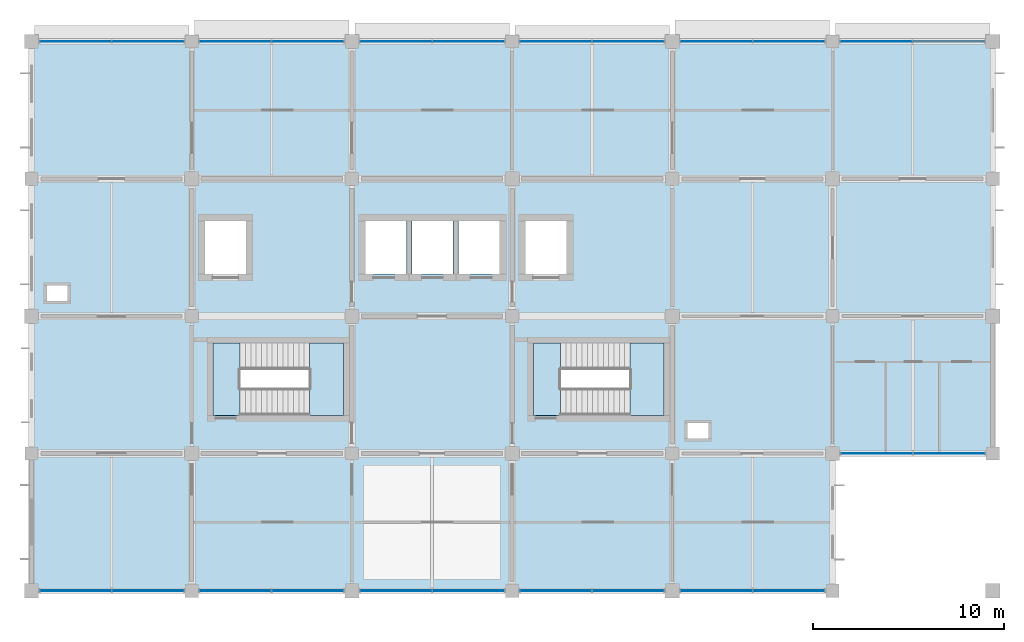
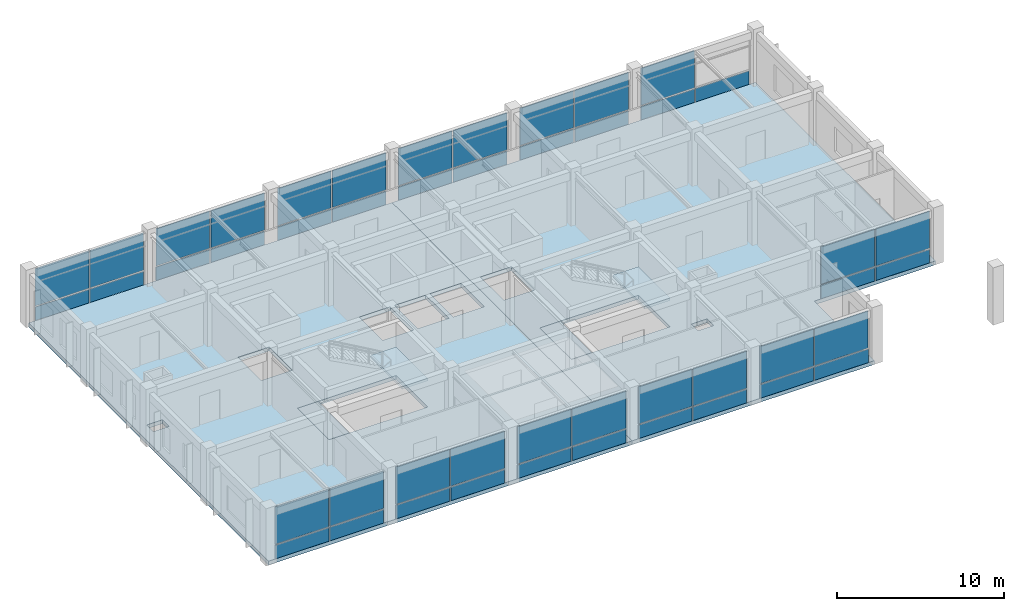
# One storey, part 7 of 13: 47 plates, 6 slabs, 14 elements without a shape of their own.
"""IFC4 building model written with IfcOpenShell, lengths in metres."""

from ifc_helpers import new_model, si_unit, derived_unit, direction, frame, origin, origin_2d, place, context, subcontext, project, spatial, polyline, rectangle, outline, extrude, material, layer, layer_set, type_object, element, aggregate, save


model = new_model("IFC4")

# Units and contexts
model_context = context("Model", 3, precision=1e-05, world=origin(), true_north=direction((0.0, 1.0)))
body_context = subcontext(model_context, "Body", "Model", "MODEL_VIEW")
ifc_project = project(units=[si_unit("LENGTHUNIT", "METRE"), si_unit("AREAUNIT", "SQUARE_METRE"), si_unit("VOLUMEUNIT", "CUBIC_METRE"), si_unit("PLANEANGLEUNIT", "RADIAN"), si_unit("MASSUNIT", "GRAM", prefix="KILO"), derived_unit("THERMALTRANSMITTANCEUNIT", [(si_unit("MASSUNIT", "GRAM", prefix="KILO"), 1), (si_unit("TIMEUNIT", "SECOND"), -3), (si_unit("THERMODYNAMICTEMPERATUREUNIT", "KELVIN"), -1)])], contexts=[model_context])

# Site, building, storey
site_placement = place(None, origin())
site = spatial("IfcSite", under=ifc_project, at=site_placement, CompositionType="ELEMENT")
building_placement = place(site_placement, origin())
building = spatial("IfcBuilding", under=site, at=building_placement, Name="Veldstrom Oceanarium and Marine Research Institute", CompositionType="ELEMENT")
storey_placement = place(building_placement, frame((0.0, 0.0, 39.60009765625)))
storey = spatial("IfcBuildingStorey", under=building, at=storey_placement, Name="L08", CompositionType="ELEMENT", Elevation=39.60009765625)

# Curtain wall, plates
ifc_material_1 = material(Name="Anodised Aluminium Framing", Category="aluminium")
curtain_wall_type = type_object("IfcCurtainWallType", Name="ARC-CW-CW04", PredefinedType="USERDEFINED", material=ifc_material_1)
curtain_wall_1_placement = place(storey_placement, origin())
curtain_wall_1 = element("IfcCurtainWall", 1, at=curtain_wall_1_placement, inside=storey, type_object=curtain_wall_type, Name="Curtain Wall CW04 CW-L08-122", ObjectType="Curtain wall", PredefinedType="USERDEFINED")
ifc_material_2 = material(Name="Double Glazed Low-E IGU", Category="glass")
ifc_layer_1 = layer(ifc_material_2, 0.035888671875)
ifc_layer_set_1 = layer_set([ifc_layer_1], Name="ARC-PLT-CP03")
plate_type_1 = type_object("IfcPlateType", Name="ARC-PLT-CP03", PredefinedType="CURTAIN_PANEL", material=ifc_layer_set_1)
plate_1_placement = place(storey_placement, frame((69.513916015625, 43.199951171875, 1.08984375), z_axis=(0.0, 0.0, 1.0), x_axis=(1.0, 0.0, 0.0)))
plate_1 = element("IfcPlate", 2, at=plate_1_placement, type_object=plate_type_1, Name="Curtain Vision Panel CW-L08-122-PNL-V1", PredefinedType="CURTAIN_PANEL", context=body_context, shape_type="SweptSolid", body=[
    extrude(rectangle(XDim=3.717529296875, YDim=0.035888671875, at=origin_2d()), origin(), (0.0, 0.0, 1.0), 2.739990234375),
])
plate_2_placement = place(storey_placement, frame((73.311279296875, 43.199951171875, 1.08984375), z_axis=(0.0, 0.0, 1.0), x_axis=(1.0, 0.0, 0.0)))
plate_2 = element("IfcPlate", 3, at=plate_2_placement, type_object=plate_type_1, Name="Curtain Vision Panel CW-L08-122-PNL-V2", PredefinedType="CURTAIN_PANEL", context=body_context, shape_type="SweptSolid", body=[
    extrude(rectangle(XDim=3.717529296875, YDim=0.035888671875, at=origin_2d()), origin(), (0.0, 0.0, 1.0), 2.739990234375),
])

curtain_wall_2_placement = place(storey_placement, origin())
curtain_wall_2 = element("IfcCurtainWall", 4, at=curtain_wall_2_placement, inside=storey, type_object=curtain_wall_type, Name="Curtain Wall CW04 CW-L08-123", ObjectType="Curtain wall", PredefinedType="USERDEFINED")
plate_3_placement = place(storey_placement, frame((69.513916015625, 72.0, 1.08984375), z_axis=(0.0, 0.0, 1.0), x_axis=(1.0, 0.0, 0.0)))
plate_3 = element("IfcPlate", 5, at=plate_3_placement, type_object=plate_type_1, Name="Curtain Vision Panel CW-L08-123-PNL-V1", PredefinedType="CURTAIN_PANEL", context=body_context, shape_type="SweptSolid", body=[
    extrude(rectangle(XDim=3.717529296875, YDim=0.035888671875, at=origin_2d()), origin(), (0.0, 0.0, 1.0), 2.739990234375),
])
plate_4_placement = place(storey_placement, frame((73.311279296875, 72.0, 1.08984375), z_axis=(0.0, 0.0, 1.0), x_axis=(1.0, 0.0, 0.0)))
plate_4 = element("IfcPlate", 6, at=plate_4_placement, type_object=plate_type_1, Name="Curtain Vision Panel CW-L08-123-PNL-V2", PredefinedType="CURTAIN_PANEL", context=body_context, shape_type="SweptSolid", body=[
    extrude(rectangle(XDim=3.717529296875, YDim=0.035888671875, at=origin_2d()), origin(), (0.0, 0.0, 1.0), 2.739990234375),
])

curtain_wall_3_placement = place(storey_placement, origin())
curtain_wall_3 = element("IfcCurtainWall", 7, at=curtain_wall_3_placement, inside=storey, type_object=curtain_wall_type, Name="Curtain Wall CW04 CW-L08-124", ObjectType="Curtain wall", PredefinedType="USERDEFINED")
plate_5_placement = place(storey_placement, frame((77.888916015625, 43.199951171875, 1.08984375), z_axis=(0.0, 0.0, 1.0), x_axis=(1.0, 0.0, 0.0)))
plate_5 = element("IfcPlate", 8, at=plate_5_placement, type_object=plate_type_1, Name="Curtain Vision Panel CW-L08-124-PNL-V1", PredefinedType="CURTAIN_PANEL", context=body_context, shape_type="SweptSolid", body=[
    extrude(rectangle(XDim=3.717529296875, YDim=0.035888671875, at=origin_2d()), origin(), (0.0, 0.0, 1.0), 2.739990234375),
])
plate_6_placement = place(storey_placement, frame((81.686279296875, 43.199951171875, 1.08984375), z_axis=(0.0, 0.0, 1.0), x_axis=(1.0, 0.0, 0.0)))
plate_6 = element("IfcPlate", 9, at=plate_6_placement, type_object=plate_type_1, Name="Curtain Vision Panel CW-L08-124-PNL-V2", PredefinedType="CURTAIN_PANEL", context=body_context, shape_type="SweptSolid", body=[
    extrude(rectangle(XDim=3.717529296875, YDim=0.035888671875, at=origin_2d()), origin(), (0.0, 0.0, 1.0), 2.739990234375),
])

curtain_wall_4_placement = place(storey_placement, origin())
curtain_wall_4 = element("IfcCurtainWall", 10, at=curtain_wall_4_placement, inside=storey, type_object=curtain_wall_type, Name="Curtain Wall CW04 CW-L08-125", ObjectType="Curtain wall", PredefinedType="USERDEFINED")
plate_7_placement = place(storey_placement, frame((77.888916015625, 72.0, 1.08984375), z_axis=(0.0, 0.0, 1.0), x_axis=(1.0, 0.0, 0.0)))
plate_7 = element("IfcPlate", 11, at=plate_7_placement, type_object=plate_type_1, Name="Curtain Vision Panel CW-L08-125-PNL-V1", PredefinedType="CURTAIN_PANEL", context=body_context, shape_type="SweptSolid", body=[
    extrude(rectangle(XDim=3.717529296875, YDim=0.035888671875, at=origin_2d()), origin(), (0.0, 0.0, 1.0), 2.739990234375),
])
plate_8_placement = place(storey_placement, frame((81.686279296875, 72.0, 1.08984375), z_axis=(0.0, 0.0, 1.0), x_axis=(1.0, 0.0, 0.0)))
plate_8 = element("IfcPlate", 12, at=plate_8_placement, type_object=plate_type_1, Name="Curtain Vision Panel CW-L08-125-PNL-V2", PredefinedType="CURTAIN_PANEL", context=body_context, shape_type="SweptSolid", body=[
    extrude(rectangle(XDim=3.717529296875, YDim=0.035888671875, at=origin_2d()), origin(), (0.0, 0.0, 1.0), 2.739990234375),
])

curtain_wall_5_placement = place(storey_placement, origin())
curtain_wall_5 = element("IfcCurtainWall", 13, at=curtain_wall_5_placement, inside=storey, type_object=curtain_wall_type, Name="Curtain Wall CW04 CW-L08-126", ObjectType="Curtain wall", PredefinedType="USERDEFINED")
plate_9_placement = place(storey_placement, frame((86.313720703125, 43.199951171875, 1.08984375), z_axis=(0.0, 0.0, 1.0), x_axis=(1.0, 0.0, 0.0)))
plate_9 = element("IfcPlate", 14, at=plate_9_placement, type_object=plate_type_1, Name="Curtain Vision Panel CW-L08-126-PNL-V1", PredefinedType="CURTAIN_PANEL", context=body_context, shape_type="SweptSolid", body=[
    extrude(rectangle(XDim=3.717529296875, YDim=0.035888671875, at=origin_2d()), origin(), (0.0, 0.0, 1.0), 2.739990234375),
])
plate_10_placement = place(storey_placement, frame((90.111083984375, 43.199951171875, 1.08984375), z_axis=(0.0, 0.0, 1.0), x_axis=(1.0, 0.0, 0.0)))
plate_10 = element("IfcPlate", 15, at=plate_10_placement, type_object=plate_type_1, Name="Curtain Vision Panel CW-L08-126-PNL-V2", PredefinedType="CURTAIN_PANEL", context=body_context, shape_type="SweptSolid", body=[
    extrude(rectangle(XDim=3.717529296875, YDim=0.035888671875, at=origin_2d()), origin(), (0.0, 0.0, 1.0), 2.739990234375),
])

curtain_wall_6_placement = place(storey_placement, origin())
curtain_wall_6 = element("IfcCurtainWall", 16, at=curtain_wall_6_placement, inside=storey, type_object=curtain_wall_type, Name="Curtain Wall CW04 CW-L08-127", ObjectType="Curtain wall", PredefinedType="USERDEFINED")
plate_11_placement = place(storey_placement, frame((86.313720703125, 72.0, 1.08984375), z_axis=(0.0, 0.0, 1.0), x_axis=(1.0, 0.0, 0.0)))
plate_11 = element("IfcPlate", 17, at=plate_11_placement, type_object=plate_type_1, Name="Curtain Vision Panel CW-L08-127-PNL-V1", PredefinedType="CURTAIN_PANEL", context=body_context, shape_type="SweptSolid", body=[
    extrude(rectangle(XDim=3.717529296875, YDim=0.035888671875, at=origin_2d()), origin(), (0.0, 0.0, 1.0), 2.739990234375),
])
plate_12_placement = place(storey_placement, frame((90.111083984375, 72.0, 1.08984375), z_axis=(0.0, 0.0, 1.0), x_axis=(1.0, 0.0, 0.0)))
plate_12 = element("IfcPlate", 18, at=plate_12_placement, type_object=plate_type_1, Name="Curtain Vision Panel CW-L08-127-PNL-V2", PredefinedType="CURTAIN_PANEL", context=body_context, shape_type="SweptSolid", body=[
    extrude(rectangle(XDim=3.717529296875, YDim=0.035888671875, at=origin_2d()), origin(), (0.0, 0.0, 1.0), 2.739990234375),
])

curtain_wall_7_placement = place(storey_placement, origin())
curtain_wall_7 = element("IfcCurtainWall", 19, at=curtain_wall_7_placement, inside=storey, type_object=curtain_wall_type, Name="Curtain Wall CW04 CW-L08-128", ObjectType="Curtain wall", PredefinedType="USERDEFINED")
plate_13_placement = place(storey_placement, frame((94.688720703125, 43.199951171875, 1.08984375), z_axis=(0.0, 0.0, 1.0), x_axis=(1.0, 0.0, 0.0)))
plate_13 = element("IfcPlate", 20, at=plate_13_placement, type_object=plate_type_1, Name="Curtain Vision Panel CW-L08-128-PNL-V1", PredefinedType="CURTAIN_PANEL", context=body_context, shape_type="SweptSolid", body=[
    extrude(rectangle(XDim=3.717529296875, YDim=0.035888671875, at=origin_2d()), origin(), (0.0, 0.0, 1.0), 2.739990234375),
])
plate_14_placement = place(storey_placement, frame((98.486083984375, 43.199951171875, 1.08984375), z_axis=(0.0, 0.0, 1.0), x_axis=(1.0, 0.0, 0.0)))
plate_14 = element("IfcPlate", 21, at=plate_14_placement, type_object=plate_type_1, Name="Curtain Vision Panel CW-L08-128-PNL-V2", PredefinedType="CURTAIN_PANEL", context=body_context, shape_type="SweptSolid", body=[
    extrude(rectangle(XDim=3.717529296875, YDim=0.035888671875, at=origin_2d()), origin(), (0.0, 0.0, 1.0), 2.739990234375),
])

curtain_wall_8_placement = place(storey_placement, origin())
curtain_wall_8 = element("IfcCurtainWall", 22, at=curtain_wall_8_placement, inside=storey, type_object=curtain_wall_type, Name="Curtain Wall CW04 CW-L08-129", ObjectType="Curtain wall", PredefinedType="USERDEFINED")
plate_15_placement = place(storey_placement, frame((94.688720703125, 72.0, 1.08984375), z_axis=(0.0, 0.0, 1.0), x_axis=(1.0, 0.0, 0.0)))
plate_15 = element("IfcPlate", 23, at=plate_15_placement, type_object=plate_type_1, Name="Curtain Vision Panel CW-L08-129-PNL-V1", PredefinedType="CURTAIN_PANEL", context=body_context, shape_type="SweptSolid", body=[
    extrude(rectangle(XDim=3.717529296875, YDim=0.035888671875, at=origin_2d()), origin(), (0.0, 0.0, 1.0), 2.739990234375),
])
plate_16_placement = place(storey_placement, frame((98.486083984375, 72.0, 1.08984375), z_axis=(0.0, 0.0, 1.0), x_axis=(1.0, 0.0, 0.0)))
plate_16 = element("IfcPlate", 24, at=plate_16_placement, type_object=plate_type_1, Name="Curtain Vision Panel CW-L08-129-PNL-V2", PredefinedType="CURTAIN_PANEL", context=body_context, shape_type="SweptSolid", body=[
    extrude(rectangle(XDim=3.717529296875, YDim=0.035888671875, at=origin_2d()), origin(), (0.0, 0.0, 1.0), 2.739990234375),
])

curtain_wall_9_placement = place(storey_placement, origin())
curtain_wall_9 = element("IfcCurtainWall", 25, at=curtain_wall_9_placement, inside=storey, type_object=curtain_wall_type, Name="Curtain Wall CW04 CW-L08-130", ObjectType="Curtain wall", PredefinedType="USERDEFINED")
plate_17_placement = place(storey_placement, frame((103.11376953125, 43.199951171875, 1.08984375), z_axis=(0.0, 0.0, 1.0), x_axis=(1.0, 0.0, 0.0)))
plate_17 = element("IfcPlate", 26, at=plate_17_placement, type_object=plate_type_1, Name="Curtain Vision Panel CW-L08-130-PNL-V1", PredefinedType="CURTAIN_PANEL", context=body_context, shape_type="SweptSolid", body=[
    extrude(rectangle(XDim=3.717529296875, YDim=0.035888671875, at=origin_2d()), origin(), (0.0, 0.0, 1.0), 2.739990234375),
])
plate_18_placement = place(storey_placement, frame((106.9111328125, 43.199951171875, 1.08984375), z_axis=(0.0, 0.0, 1.0), x_axis=(1.0, 0.0, 0.0)))
plate_18 = element("IfcPlate", 27, at=plate_18_placement, type_object=plate_type_1, Name="Curtain Vision Panel CW-L08-130-PNL-V2", PredefinedType="CURTAIN_PANEL", context=body_context, shape_type="SweptSolid", body=[
    extrude(rectangle(XDim=3.717529296875, YDim=0.035888671875, at=origin_2d()), origin(), (0.0, 0.0, 1.0), 2.739990234375),
])

curtain_wall_10_placement = place(storey_placement, origin())
curtain_wall_10 = element("IfcCurtainWall", 28, at=curtain_wall_10_placement, inside=storey, type_object=curtain_wall_type, Name="Curtain Wall CW04 CW-L08-131", ObjectType="Curtain wall", PredefinedType="USERDEFINED")
plate_19_placement = place(storey_placement, frame((103.11376953125, 72.0, 1.08984375), z_axis=(0.0, 0.0, 1.0), x_axis=(1.0, 0.0, 0.0)))
plate_19 = element("IfcPlate", 29, at=plate_19_placement, type_object=plate_type_1, Name="Curtain Vision Panel CW-L08-131-PNL-V1", PredefinedType="CURTAIN_PANEL", context=body_context, shape_type="SweptSolid", body=[
    extrude(rectangle(XDim=3.717529296875, YDim=0.035888671875, at=origin_2d()), origin(), (0.0, 0.0, 1.0), 2.739990234375),
])
plate_20_placement = place(storey_placement, frame((106.9111328125, 72.0, 1.08984375), z_axis=(0.0, 0.0, 1.0), x_axis=(1.0, 0.0, 0.0)))
plate_20 = element("IfcPlate", 30, at=plate_20_placement, type_object=plate_type_1, Name="Curtain Vision Panel CW-L08-131-PNL-V2", PredefinedType="CURTAIN_PANEL", context=body_context, shape_type="SweptSolid", body=[
    extrude(rectangle(XDim=3.717529296875, YDim=0.035888671875, at=origin_2d()), origin(), (0.0, 0.0, 1.0), 2.739990234375),
])

curtain_wall_11_placement = place(storey_placement, origin())
curtain_wall_11 = element("IfcCurtainWall", 31, at=curtain_wall_11_placement, inside=storey, type_object=curtain_wall_type, Name="Curtain Wall CW04 CW-L08-132", ObjectType="Curtain wall", PredefinedType="USERDEFINED")
plate_21_placement = place(storey_placement, frame((111.513916015625, 50.39990234375, 1.08984375), z_axis=(0.0, 0.0, 1.0), x_axis=(1.0, 0.0, 0.0)))
plate_21 = element("IfcPlate", 32, at=plate_21_placement, type_object=plate_type_1, Name="Curtain Vision Panel CW-L08-132-PNL-V1", PredefinedType="CURTAIN_PANEL", context=body_context, shape_type="SweptSolid", body=[
    extrude(rectangle(XDim=3.717529296875, YDim=0.035888671875, at=origin_2d()), origin(), (0.0, 0.0, 1.0), 2.739990234375),
])
plate_22_placement = place(storey_placement, frame((115.311279296875, 50.39990234375, 1.08984375), z_axis=(0.0, 0.0, 1.0), x_axis=(1.0, 0.0, 0.0)))
plate_22 = element("IfcPlate", 33, at=plate_22_placement, type_object=plate_type_1, Name="Curtain Vision Panel CW-L08-132-PNL-V2", PredefinedType="CURTAIN_PANEL", context=body_context, shape_type="SweptSolid", body=[
    extrude(rectangle(XDim=3.717529296875, YDim=0.035888671875, at=origin_2d()), origin(), (0.0, 0.0, 1.0), 2.739990234375),
])

# Curtain wall, plate
curtain_wall_12_placement = place(storey_placement, origin())
curtain_wall_12 = element("IfcCurtainWall", 34, at=curtain_wall_12_placement, inside=storey, type_object=curtain_wall_type, Name="Curtain Wall CW04 CW-L08-133", ObjectType="Curtain wall", PredefinedType="USERDEFINED")
plate_23_placement = place(storey_placement, frame((111.48876953125, 72.0, 1.08984375), z_axis=(0.0, 0.0, 1.0), x_axis=(1.0, 0.0, 0.0)))
plate_23 = element("IfcPlate", 35, at=plate_23_placement, type_object=plate_type_1, Name="Curtain Vision Panel CW-L08-133-PNL-V1", PredefinedType="CURTAIN_PANEL", context=body_context, shape_type="SweptSolid", body=[
    extrude(rectangle(XDim=3.717529296875, YDim=0.035888671875, at=origin_2d()), origin(), (0.0, 0.0, 1.0), 2.739990234375),
])

# Plate
ifc_material_3 = material(Name="Insulated Aluminium Spandrel", Category="aluminium")
ifc_layer_2 = layer(ifc_material_3, 0.044921875)
ifc_layer_set_2 = layer_set([ifc_layer_2], Name="ARC-PLT-CP04")
plate_type_2 = type_object("IfcPlateType", Name="ARC-PLT-CP04", PredefinedType="CURTAIN_PANEL", material=ifc_layer_set_2)
plate_24_placement = place(storey_placement, frame((69.513916015625, 43.199951171875, 0.02001953125), z_axis=(0.0, 0.0, 1.0), x_axis=(1.0, 0.0, 0.0)))
plate_24 = element("IfcPlate", 36, at=plate_24_placement, type_object=plate_type_2, Name="Curtain Spandrel Panel CW-L08-122-PNL-S1", PredefinedType="CURTAIN_PANEL", context=body_context, shape_type="SweptSolid", body=[
    extrude(rectangle(XDim=3.717529296875, YDim=0.044921875, at=origin_2d()), origin(), (0.0, 0.0, 1.0), 0.989990234375),
])

plate_25_placement = place(storey_placement, frame((73.311279296875, 43.199951171875, 0.02001953125), z_axis=(0.0, 0.0, 1.0), x_axis=(1.0, 0.0, 0.0)))
plate_25 = element("IfcPlate", 37, at=plate_25_placement, type_object=plate_type_2, Name="Curtain Spandrel Panel CW-L08-122-PNL-S2", PredefinedType="CURTAIN_PANEL", context=body_context, shape_type="SweptSolid", body=[
    extrude(rectangle(XDim=3.717529296875, YDim=0.044921875, at=origin_2d()), origin(), (0.0, 0.0, 1.0), 0.989990234375),
])

aggregate(curtain_wall_1, [plate_24, plate_1, plate_25, plate_2])

plate_26_placement = place(storey_placement, frame((69.513916015625, 72.0, 0.02001953125), z_axis=(0.0, 0.0, 1.0), x_axis=(1.0, 0.0, 0.0)))
plate_26 = element("IfcPlate", 38, at=plate_26_placement, type_object=plate_type_2, Name="Curtain Spandrel Panel CW-L08-123-PNL-S1", PredefinedType="CURTAIN_PANEL", context=body_context, shape_type="SweptSolid", body=[
    extrude(rectangle(XDim=3.717529296875, YDim=0.044921875, at=origin_2d()), origin(), (0.0, 0.0, 1.0), 0.989990234375),
])

plate_27_placement = place(storey_placement, frame((73.311279296875, 72.0, 0.02001953125), z_axis=(0.0, 0.0, 1.0), x_axis=(1.0, 0.0, 0.0)))
plate_27 = element("IfcPlate", 39, at=plate_27_placement, type_object=plate_type_2, Name="Curtain Spandrel Panel CW-L08-123-PNL-S2", PredefinedType="CURTAIN_PANEL", context=body_context, shape_type="SweptSolid", body=[
    extrude(rectangle(XDim=3.717529296875, YDim=0.044921875, at=origin_2d()), origin(), (0.0, 0.0, 1.0), 0.989990234375),
])

aggregate(curtain_wall_2, [plate_26, plate_3, plate_27, plate_4])

plate_28_placement = place(storey_placement, frame((77.888916015625, 43.199951171875, 0.02001953125), z_axis=(0.0, 0.0, 1.0), x_axis=(1.0, 0.0, 0.0)))
plate_28 = element("IfcPlate", 40, at=plate_28_placement, type_object=plate_type_2, Name="Curtain Spandrel Panel CW-L08-124-PNL-S1", PredefinedType="CURTAIN_PANEL", context=body_context, shape_type="SweptSolid", body=[
    extrude(rectangle(XDim=3.717529296875, YDim=0.044921875, at=origin_2d()), origin(), (0.0, 0.0, 1.0), 0.989990234375),
])

plate_29_placement = place(storey_placement, frame((81.686279296875, 43.199951171875, 0.02001953125), z_axis=(0.0, 0.0, 1.0), x_axis=(1.0, 0.0, 0.0)))
plate_29 = element("IfcPlate", 41, at=plate_29_placement, type_object=plate_type_2, Name="Curtain Spandrel Panel CW-L08-124-PNL-S2", PredefinedType="CURTAIN_PANEL", context=body_context, shape_type="SweptSolid", body=[
    extrude(rectangle(XDim=3.717529296875, YDim=0.044921875, at=origin_2d()), origin(), (0.0, 0.0, 1.0), 0.989990234375),
])

aggregate(curtain_wall_3, [plate_28, plate_5, plate_29, plate_6])

plate_30_placement = place(storey_placement, frame((77.888916015625, 72.0, 0.02001953125), z_axis=(0.0, 0.0, 1.0), x_axis=(1.0, 0.0, 0.0)))
plate_30 = element("IfcPlate", 42, at=plate_30_placement, type_object=plate_type_2, Name="Curtain Spandrel Panel CW-L08-125-PNL-S1", PredefinedType="CURTAIN_PANEL", context=body_context, shape_type="SweptSolid", body=[
    extrude(rectangle(XDim=3.717529296875, YDim=0.044921875, at=origin_2d()), origin(), (0.0, 0.0, 1.0), 0.989990234375),
])

plate_31_placement = place(storey_placement, frame((81.686279296875, 72.0, 0.02001953125), z_axis=(0.0, 0.0, 1.0), x_axis=(1.0, 0.0, 0.0)))
plate_31 = element("IfcPlate", 43, at=plate_31_placement, type_object=plate_type_2, Name="Curtain Spandrel Panel CW-L08-125-PNL-S2", PredefinedType="CURTAIN_PANEL", context=body_context, shape_type="SweptSolid", body=[
    extrude(rectangle(XDim=3.717529296875, YDim=0.044921875, at=origin_2d()), origin(), (0.0, 0.0, 1.0), 0.989990234375),
])

aggregate(curtain_wall_4, [plate_30, plate_7, plate_31, plate_8])

plate_32_placement = place(storey_placement, frame((86.313720703125, 43.199951171875, 0.02001953125), z_axis=(0.0, 0.0, 1.0), x_axis=(1.0, 0.0, 0.0)))
plate_32 = element("IfcPlate", 44, at=plate_32_placement, type_object=plate_type_2, Name="Curtain Spandrel Panel CW-L08-126-PNL-S1", PredefinedType="CURTAIN_PANEL", context=body_context, shape_type="SweptSolid", body=[
    extrude(rectangle(XDim=3.717529296875, YDim=0.044921875, at=origin_2d()), origin(), (0.0, 0.0, 1.0), 0.989990234375),
])

plate_33_placement = place(storey_placement, frame((90.111083984375, 43.199951171875, 0.02001953125), z_axis=(0.0, 0.0, 1.0), x_axis=(1.0, 0.0, 0.0)))
plate_33 = element("IfcPlate", 45, at=plate_33_placement, type_object=plate_type_2, Name="Curtain Spandrel Panel CW-L08-126-PNL-S2", PredefinedType="CURTAIN_PANEL", context=body_context, shape_type="SweptSolid", body=[
    extrude(rectangle(XDim=3.717529296875, YDim=0.044921875, at=origin_2d()), origin(), (0.0, 0.0, 1.0), 0.989990234375),
])

aggregate(curtain_wall_5, [plate_32, plate_9, plate_33, plate_10])

plate_34_placement = place(storey_placement, frame((86.313720703125, 72.0, 0.02001953125), z_axis=(0.0, 0.0, 1.0), x_axis=(1.0, 0.0, 0.0)))
plate_34 = element("IfcPlate", 46, at=plate_34_placement, type_object=plate_type_2, Name="Curtain Spandrel Panel CW-L08-127-PNL-S1", PredefinedType="CURTAIN_PANEL", context=body_context, shape_type="SweptSolid", body=[
    extrude(rectangle(XDim=3.717529296875, YDim=0.044921875, at=origin_2d()), origin(), (0.0, 0.0, 1.0), 0.989990234375),
])

plate_35_placement = place(storey_placement, frame((90.111083984375, 72.0, 0.02001953125), z_axis=(0.0, 0.0, 1.0), x_axis=(1.0, 0.0, 0.0)))
plate_35 = element("IfcPlate", 47, at=plate_35_placement, type_object=plate_type_2, Name="Curtain Spandrel Panel CW-L08-127-PNL-S2", PredefinedType="CURTAIN_PANEL", context=body_context, shape_type="SweptSolid", body=[
    extrude(rectangle(XDim=3.717529296875, YDim=0.044921875, at=origin_2d()), origin(), (0.0, 0.0, 1.0), 0.989990234375),
])

aggregate(curtain_wall_6, [plate_34, plate_11, plate_35, plate_12])

plate_36_placement = place(storey_placement, frame((94.688720703125, 43.199951171875, 0.02001953125), z_axis=(0.0, 0.0, 1.0), x_axis=(1.0, 0.0, 0.0)))
plate_36 = element("IfcPlate", 48, at=plate_36_placement, type_object=plate_type_2, Name="Curtain Spandrel Panel CW-L08-128-PNL-S1", PredefinedType="CURTAIN_PANEL", context=body_context, shape_type="SweptSolid", body=[
    extrude(rectangle(XDim=3.717529296875, YDim=0.044921875, at=origin_2d()), origin(), (0.0, 0.0, 1.0), 0.989990234375),
])

plate_37_placement = place(storey_placement, frame((98.486083984375, 43.199951171875, 0.02001953125), z_axis=(0.0, 0.0, 1.0), x_axis=(1.0, 0.0, 0.0)))
plate_37 = element("IfcPlate", 49, at=plate_37_placement, type_object=plate_type_2, Name="Curtain Spandrel Panel CW-L08-128-PNL-S2", PredefinedType="CURTAIN_PANEL", context=body_context, shape_type="SweptSolid", body=[
    extrude(rectangle(XDim=3.717529296875, YDim=0.044921875, at=origin_2d()), origin(), (0.0, 0.0, 1.0), 0.989990234375),
])

aggregate(curtain_wall_7, [plate_36, plate_13, plate_37, plate_14])

plate_38_placement = place(storey_placement, frame((94.688720703125, 72.0, 0.02001953125), z_axis=(0.0, 0.0, 1.0), x_axis=(1.0, 0.0, 0.0)))
plate_38 = element("IfcPlate", 50, at=plate_38_placement, type_object=plate_type_2, Name="Curtain Spandrel Panel CW-L08-129-PNL-S1", PredefinedType="CURTAIN_PANEL", context=body_context, shape_type="SweptSolid", body=[
    extrude(rectangle(XDim=3.717529296875, YDim=0.044921875, at=origin_2d()), origin(), (0.0, 0.0, 1.0), 0.989990234375),
])

plate_39_placement = place(storey_placement, frame((98.486083984375, 72.0, 0.02001953125), z_axis=(0.0, 0.0, 1.0), x_axis=(1.0, 0.0, 0.0)))
plate_39 = element("IfcPlate", 51, at=plate_39_placement, type_object=plate_type_2, Name="Curtain Spandrel Panel CW-L08-129-PNL-S2", PredefinedType="CURTAIN_PANEL", context=body_context, shape_type="SweptSolid", body=[
    extrude(rectangle(XDim=3.717529296875, YDim=0.044921875, at=origin_2d()), origin(), (0.0, 0.0, 1.0), 0.989990234375),
])

aggregate(curtain_wall_8, [plate_38, plate_15, plate_39, plate_16])

plate_40_placement = place(storey_placement, frame((103.11376953125, 43.199951171875, 0.02001953125), z_axis=(0.0, 0.0, 1.0), x_axis=(1.0, 0.0, 0.0)))
plate_40 = element("IfcPlate", 52, at=plate_40_placement, type_object=plate_type_2, Name="Curtain Spandrel Panel CW-L08-130-PNL-S1", PredefinedType="CURTAIN_PANEL", context=body_context, shape_type="SweptSolid", body=[
    extrude(rectangle(XDim=3.717529296875, YDim=0.044921875, at=origin_2d()), origin(), (0.0, 0.0, 1.0), 0.989990234375),
])

plate_41_placement = place(storey_placement, frame((106.9111328125, 43.199951171875, 0.02001953125), z_axis=(0.0, 0.0, 1.0), x_axis=(1.0, 0.0, 0.0)))
plate_41 = element("IfcPlate", 53, at=plate_41_placement, type_object=plate_type_2, Name="Curtain Spandrel Panel CW-L08-130-PNL-S2", PredefinedType="CURTAIN_PANEL", context=body_context, shape_type="SweptSolid", body=[
    extrude(rectangle(XDim=3.717529296875, YDim=0.044921875, at=origin_2d()), origin(), (0.0, 0.0, 1.0), 0.989990234375),
])

aggregate(curtain_wall_9, [plate_40, plate_17, plate_41, plate_18])

plate_42_placement = place(storey_placement, frame((103.11376953125, 72.0, 0.02001953125), z_axis=(0.0, 0.0, 1.0), x_axis=(1.0, 0.0, 0.0)))
plate_42 = element("IfcPlate", 54, at=plate_42_placement, type_object=plate_type_2, Name="Curtain Spandrel Panel CW-L08-131-PNL-S1", PredefinedType="CURTAIN_PANEL", context=body_context, shape_type="SweptSolid", body=[
    extrude(rectangle(XDim=3.717529296875, YDim=0.044921875, at=origin_2d()), origin(), (0.0, 0.0, 1.0), 0.989990234375),
])

plate_43_placement = place(storey_placement, frame((106.9111328125, 72.0, 0.02001953125), z_axis=(0.0, 0.0, 1.0), x_axis=(1.0, 0.0, 0.0)))
plate_43 = element("IfcPlate", 55, at=plate_43_placement, type_object=plate_type_2, Name="Curtain Spandrel Panel CW-L08-131-PNL-S2", PredefinedType="CURTAIN_PANEL", context=body_context, shape_type="SweptSolid", body=[
    extrude(rectangle(XDim=3.717529296875, YDim=0.044921875, at=origin_2d()), origin(), (0.0, 0.0, 1.0), 0.989990234375),
])

aggregate(curtain_wall_10, [plate_42, plate_19, plate_43, plate_20])

plate_44_placement = place(storey_placement, frame((111.513916015625, 50.39990234375, 0.02001953125), z_axis=(0.0, 0.0, 1.0), x_axis=(1.0, 0.0, 0.0)))
plate_44 = element("IfcPlate", 56, at=plate_44_placement, type_object=plate_type_2, Name="Curtain Spandrel Panel CW-L08-132-PNL-S1", PredefinedType="CURTAIN_PANEL", context=body_context, shape_type="SweptSolid", body=[
    extrude(rectangle(XDim=3.717529296875, YDim=0.044921875, at=origin_2d()), origin(), (0.0, 0.0, 1.0), 0.989990234375),
])

plate_45_placement = place(storey_placement, frame((115.311279296875, 50.39990234375, 0.02001953125), z_axis=(0.0, 0.0, 1.0), x_axis=(1.0, 0.0, 0.0)))
plate_45 = element("IfcPlate", 57, at=plate_45_placement, type_object=plate_type_2, Name="Curtain Spandrel Panel CW-L08-132-PNL-S2", PredefinedType="CURTAIN_PANEL", context=body_context, shape_type="SweptSolid", body=[
    extrude(rectangle(XDim=3.717529296875, YDim=0.044921875, at=origin_2d()), origin(), (0.0, 0.0, 1.0), 0.989990234375),
])

aggregate(curtain_wall_11, [plate_44, plate_21, plate_45, plate_22])

plate_46_placement = place(storey_placement, frame((111.48876953125, 72.0, 0.02001953125), z_axis=(0.0, 0.0, 1.0), x_axis=(1.0, 0.0, 0.0)))
plate_46 = element("IfcPlate", 58, at=plate_46_placement, type_object=plate_type_2, Name="Curtain Spandrel Panel CW-L08-133-PNL-S1", PredefinedType="CURTAIN_PANEL", context=body_context, shape_type="SweptSolid", body=[
    extrude(rectangle(XDim=3.717529296875, YDim=0.044921875, at=origin_2d()), origin(), (0.0, 0.0, 1.0), 0.989990234375),
])

plate_47_placement = place(storey_placement, frame((115.2861328125, 72.0, 0.02001953125), z_axis=(0.0, 0.0, 1.0), x_axis=(1.0, 0.0, 0.0)))
plate_47 = element("IfcPlate", 59, at=plate_47_placement, type_object=plate_type_2, Name="Curtain Spandrel Panel CW-L08-133-PNL-S2", PredefinedType="CURTAIN_PANEL", context=body_context, shape_type="SweptSolid", body=[
    extrude(rectangle(XDim=3.717529296875, YDim=0.044921875, at=origin_2d()), origin(), (0.0, 0.0, 1.0), 0.989990234375),
])

aggregate(curtain_wall_12, [plate_46, plate_23, plate_47])

# Slabs
ifc_material_4 = material(Name="Concrete C40/50", Category="concrete")
ifc_layer_3 = layer(ifc_material_4, 0.280029296875)
ifc_layer_set_3 = layer_set([ifc_layer_3], Name="STR-SLB-FL0280")
slab_type_1 = type_object("IfcSlabType", Name="STR-SLB-FL0280", PredefinedType="FLOOR", material=ifc_layer_set_3)
slab_1_placement = place(storey_placement, frame((0.0, 0.0, -0.280029296875)))
element("IfcSlab", 60, at=slab_1_placement, inside=storey, type_object=slab_type_1, Name="Slab SF-280 L08 CW", PredefinedType="FLOOR", context=body_context, shape_type="SweptSolid", body=[
    extrude(outline(polyline([(92.39990234375, 50.39990234375), (92.39990234375, 43.199951171875), (84.0, 43.199951171875), (75.60009765625, 43.199951171875), (67.199951171875, 43.199951171875), (67.199951171875, 50.39990234375), (67.199951171875, 57.60009765625), (67.199951171875, 64.800048828125), (67.199951171875, 72.0), (75.60009765625, 72.0), (84.0, 72.0), (92.39990234375, 72.0), (92.39990234375, 64.800048828125), (92.39990234375, 57.60009765625), (92.39990234375, 50.39990234375)]), holes=[polyline([(83.56005859375, 52.39990234375), (83.56005859375, 56.199951171875), (76.719970703125, 56.199951171875), (76.719970703125, 52.39990234375), (83.56005859375, 52.39990234375)]), polyline([(76.300048828125, 62.60009765625), (76.300048828125, 59.800048828125), (78.449951171875, 59.800048828125), (78.449951171875, 62.60009765625), (76.300048828125, 62.60009765625)]), polyline([(86.85009765625, 59.800048828125), (86.85009765625, 62.60009765625), (84.699951171875, 62.60009765625), (84.699951171875, 59.800048828125), (86.85009765625, 59.800048828125)]), polyline([(87.14990234375, 59.800048828125), (89.300048828125, 59.800048828125), (89.300048828125, 62.60009765625), (87.14990234375, 62.60009765625), (87.14990234375, 59.800048828125)]), polyline([(89.60009765625, 62.60009765625), (89.60009765625, 59.800048828125), (91.75, 59.800048828125), (91.75, 62.60009765625), (89.60009765625, 62.60009765625)]), polyline([(69.10009765625, 59.199951171875), (68.0, 59.199951171875), (68.0, 58.39990234375), (69.10009765625, 58.39990234375), (69.10009765625, 59.199951171875)])]), origin(), (0.0, 0.0, 1.0), 0.280029296875),
])
slab_2_placement = place(storey_placement, frame((0.0, 0.0, -0.280029296875)))
element("IfcSlab", 61, at=slab_2_placement, inside=storey, type_object=slab_type_1, Name="Slab SF-280 L08 CE", PredefinedType="FLOOR", context=body_context, shape_type="SweptSolid", body=[
    extrude(outline(polyline([(117.60009765625, 57.60009765625), (117.60009765625, 50.39990234375), (109.199951171875, 50.39990234375), (109.199951171875, 43.199951171875), (100.800048828125, 43.199951171875), (92.39990234375, 43.199951171875), (92.39990234375, 50.39990234375), (92.39990234375, 57.60009765625), (92.39990234375, 64.800048828125), (92.39990234375, 72.0), (100.800048828125, 72.0), (109.199951171875, 72.0), (117.60009765625, 72.0), (117.60009765625, 64.800048828125), (117.60009765625, 57.60009765625)]), holes=[polyline([(93.52001953125, 52.39990234375), (100.360107421875, 52.39990234375), (100.360107421875, 56.199951171875), (93.52001953125, 56.199951171875), (93.52001953125, 52.39990234375)]), polyline([(95.25, 62.60009765625), (93.10009765625, 62.60009765625), (93.10009765625, 59.800048828125), (95.25, 59.800048828125), (95.25, 62.60009765625)]), polyline([(102.699951171875, 52.0), (101.60009765625, 52.0), (101.60009765625, 51.199951171875), (102.699951171875, 51.199951171875), (102.699951171875, 52.0)])]), origin(), (0.0, 0.0, 1.0), 0.280029296875),
])

# Stair, slab
ifc_material_5 = material(Name="Concrete C40/50", Category="concrete")
stair_type = type_object("IfcStairType", Name="ARC-STR-ST-420", PredefinedType="TWO_STRAIGHT_RUN_STAIR", material=ifc_material_5)
stair_1_placement = place(storey_placement, origin())
stair_1 = element("IfcStair", 62, at=stair_1_placement, inside=storey, type_object=stair_type, Name="Dog-Leg Escape Stair ST1-L08", PredefinedType="TWO_STRAIGHT_RUN_STAIR")
ifc_material_6 = material(Name="Concrete C40/50", Category="concrete")
ifc_layer_4 = layer(ifc_material_6, 0.179931640625)
ifc_layer_set_4 = layer_set([ifc_layer_4], Name="STR-SLB-LD180")
slab_type_2 = type_object("IfcSlabType", Name="STR-SLB-LD180", PredefinedType="LANDING", material=ifc_layer_set_4)
slab_3_placement = place(storey_placement, frame((0.0, 0.0, 1.919921875)))
slab_3 = element("IfcSlab", 63, at=slab_3_placement, type_object=slab_type_2, Name="Stair Half-Landing ST1 L08", PredefinedType="LANDING", context=body_context, shape_type="SweptSolid", body=[
    extrude(outline(polyline([(81.780029296875, 52.39990234375), (83.56005859375, 52.39990234375), (83.56005859375, 56.199951171875), (81.780029296875, 56.199951171875), (81.780029296875, 52.39990234375)])), origin(), (0.0, 0.0, 1.0), 0.179931640625),
])
aggregate(stair_1, [slab_3])

stair_2_placement = place(storey_placement, origin())
stair_2 = element("IfcStair", 64, at=stair_2_placement, inside=storey, type_object=stair_type, Name="Dog-Leg Escape Stair ST2-L08", PredefinedType="TWO_STRAIGHT_RUN_STAIR")
slab_4_placement = place(storey_placement, frame((0.0, 0.0, 1.919921875)))
slab_4 = element("IfcSlab", 65, at=slab_4_placement, type_object=slab_type_2, Name="Stair Half-Landing ST2 L08", PredefinedType="LANDING", context=body_context, shape_type="SweptSolid", body=[
    extrude(outline(polyline([(98.580078125, 52.39990234375), (100.360107421875, 52.39990234375), (100.360107421875, 56.199951171875), (98.580078125, 56.199951171875), (98.580078125, 52.39990234375)])), origin(), (0.0, 0.0, 1.0), 0.179931640625),
])
aggregate(stair_2, [slab_4])

# Slabs
ifc_material_7 = material(Name="Concrete C40/50", Category="concrete")
ifc_layer_5 = layer(ifc_material_7, 0.199951171875)
ifc_layer_set_5 = layer_set([ifc_layer_5], Name="STR-SLB-LD200")
slab_type_3 = type_object("IfcSlabType", Name="STR-SLB-LD200", PredefinedType="LANDING", material=ifc_layer_set_5)
slab_5_placement = place(storey_placement, frame((0.0, 0.0, -0.2001953125)))
element("IfcSlab", 66, at=slab_5_placement, inside=storey, type_object=slab_type_3, Name="Stair Floor Landing ST1 L08", PredefinedType="LANDING", context=body_context, shape_type="SweptSolid", body=[
    extrude(outline(polyline([(76.719970703125, 52.39990234375), (78.139892578125, 52.39990234375), (78.139892578125, 56.199951171875), (76.719970703125, 56.199951171875), (76.719970703125, 52.39990234375)])), origin(), (0.0, 0.0, 1.0), 0.2001953125),
])
slab_6_placement = place(storey_placement, frame((0.0, 0.0, -0.2001953125)))
element("IfcSlab", 67, at=slab_6_placement, inside=storey, type_object=slab_type_3, Name="Stair Floor Landing ST2 L08", PredefinedType="LANDING", context=body_context, shape_type="SweptSolid", body=[
    extrude(outline(polyline([(93.52001953125, 52.39990234375), (94.93994140625, 52.39990234375), (94.93994140625, 56.199951171875), (93.52001953125, 56.199951171875), (93.52001953125, 52.39990234375)])), origin(), (0.0, 0.0, 1.0), 0.2001953125),
])

save(model, "model.ifc")
